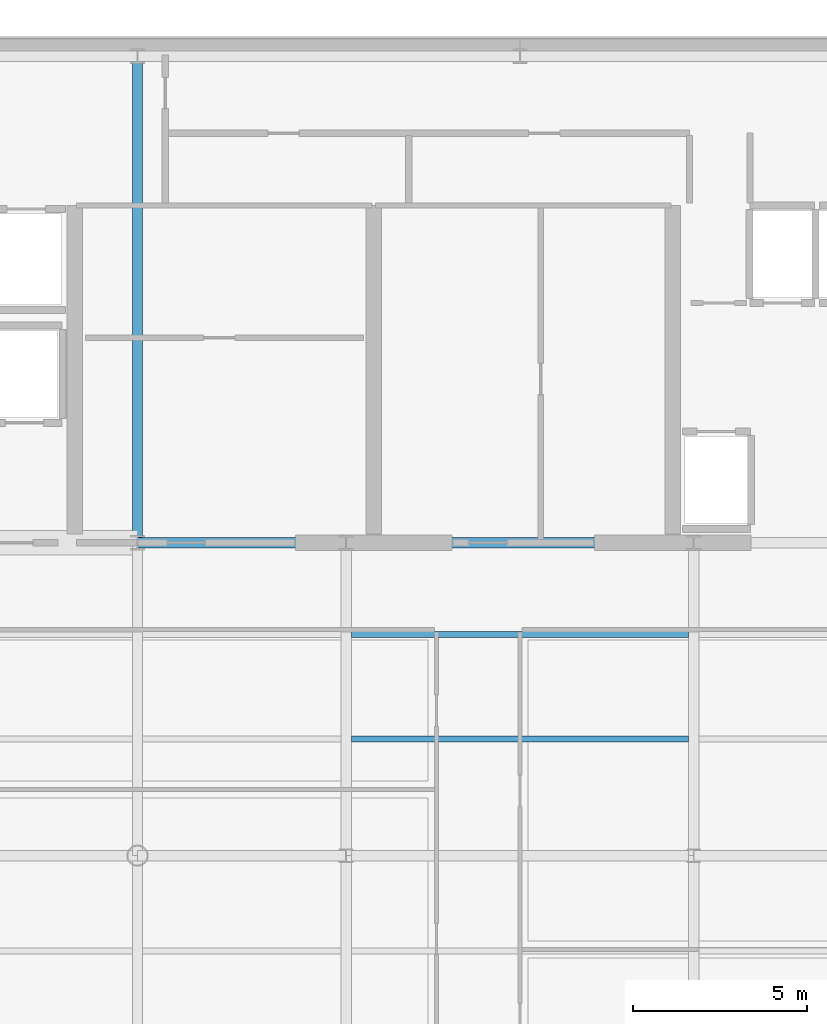
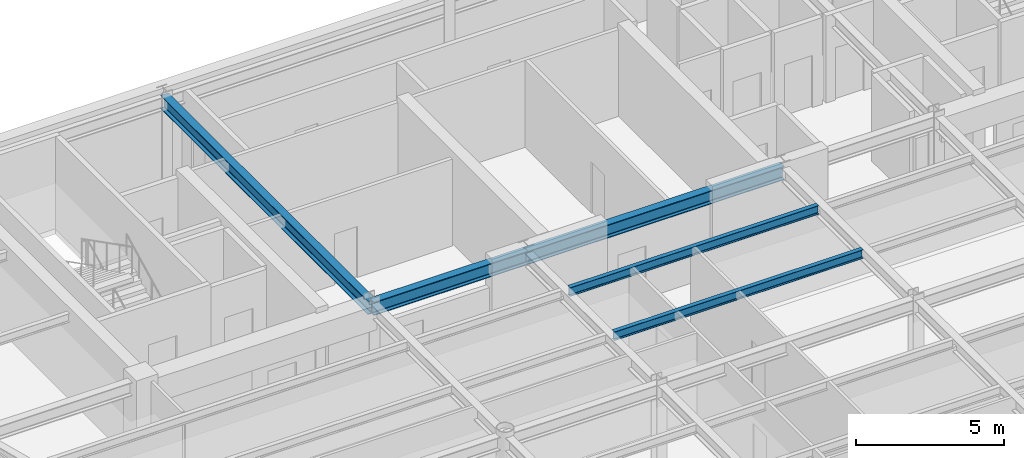
# One storey, part 5 of 19: 5 beams.
"""IFC4 building model written with IfcOpenShell, lengths in metres."""

from ifc_helpers import new_model, si_unit, direction, frame, origin, origin_2d, place, context, subcontext, project, spatial, i_section, extrude, source, transform, mapped, material, material_profile, profile_set, type_object, element, save


model = new_model("IFC4")

# Units and contexts
model_context = context("Model", 3, precision=1e-05, world=origin(), true_north=direction((0.0, 1.0)))
body_context = subcontext(model_context, "Body", "Model", "MODEL_VIEW")
ifc_project = project(units=[si_unit("LENGTHUNIT", "METRE"), si_unit("AREAUNIT", "SQUARE_METRE"), si_unit("VOLUMEUNIT", "CUBIC_METRE"), si_unit("PLANEANGLEUNIT", "RADIAN"), si_unit("MASSUNIT", "GRAM", prefix="KILO")], contexts=[model_context])

# Site, building, storey
site_placement = place(None, origin())
site = spatial("IfcSite", under=ifc_project, at=site_placement, CompositionType="ELEMENT")
building_placement = place(site_placement, origin())
building = spatial("IfcBuilding", under=site, at=building_placement, Name="Vaeldorn Concourse Tower", CompositionType="ELEMENT")
storey_placement = place(building_placement, frame((0.0, 0.0, 276.39990234375)))
storey = spatial("IfcBuildingStorey", under=building, at=storey_placement, Name="L71", CompositionType="ELEMENT", Elevation=276.39990234375)

# Beams
ifc_material = material(Name="Steel S355", Category="steel")
ifc_material_profile_1 = material_profile(ifc_material, i_section(OverallWidth=0.300048828125, OverallDepth=0.550048828125, WebThickness=0.014892578125, FlangeThickness=0.029052734375, FilletRadius=0.027099609375, at=origin_2d()), Name="HEB 550")
ifc_profile_set_1 = profile_set([ifc_material_profile_1], Name="Steel S355")
beam_type_1 = type_object("IfcBeamType", Name="BM-PG-HEB550", PredefinedType="BEAM", material=ifc_profile_set_1)
shared_shape_1 = source(origin(), body_context, "Body", "SweptSolid", [
    extrude(i_section(OverallWidth=0.300048828125, OverallDepth=0.550048828125, WebThickness=0.014892578125, FlangeThickness=0.029052734375, FilletRadius=0.027099609375, at=origin_2d()), origin(), (0.0, 0.0, 1.0), 6.0),
])
beam_1_placement = place(storey_placement, frame((23.0, 36.5, 3.30517578125), z_axis=(1.0, 0.0, 0.0), x_axis=(0.0, 1.0, 0.0)))
element("IfcBeam", 1, at=beam_1_placement, inside=storey, type_object=beam_type_1, Name="Beam BM-L71-C-FC2-C-FC3", PredefinedType="BEAM", context=body_context, shape_type="MappedRepresentation", body=[
    mapped(shared_shape_1, transform((0.0, 0.0, 0.0), scale=1.0)),
])
shared_shape_2 = source(origin(), body_context, "Body", "SweptSolid", [
    extrude(i_section(OverallWidth=0.300048828125, OverallDepth=0.550048828125, WebThickness=0.014892578125, FlangeThickness=0.029052734375, FilletRadius=0.027099609375, at=origin_2d()), origin(), (0.0, 0.0, 1.0), 10.0),
])
beam_2_placement = place(storey_placement, frame((29.0, 36.5, 3.30517578125), z_axis=(1.0, 0.0, 0.0), x_axis=(0.0, 1.0, 0.0)))
element("IfcBeam", 2, at=beam_2_placement, inside=storey, type_object=beam_type_1, Name="Beam BM-L71-C-FC3-C-FC4", PredefinedType="BEAM", context=body_context, shape_type="MappedRepresentation", body=[
    mapped(shared_shape_2, transform((0.0, 0.0, 0.0), scale=1.0)),
])
shared_shape_3 = source(origin(), body_context, "Body", "SweptSolid", [
    extrude(i_section(OverallWidth=0.300048828125, OverallDepth=0.550048828125, WebThickness=0.014892578125, FlangeThickness=0.029052734375, FilletRadius=0.027099609375, at=origin_2d()), origin(), (0.0, 0.0, 1.0), 14.0),
])
beam_3_placement = place(storey_placement, frame((23.0, 36.5, 3.30517578125), z_axis=(0.0, 1.0, 0.0), x_axis=(-1.0, 0.0, 0.0)))
element("IfcBeam", 3, at=beam_3_placement, inside=storey, type_object=beam_type_1, Name="Beam BM-L71-C-FC2-C-HC2", PredefinedType="BEAM", context=body_context, shape_type="MappedRepresentation", body=[
    mapped(shared_shape_3, transform((0.0, 0.0, 0.0), scale=1.0)),
])
ifc_material_profile_2 = material_profile(ifc_material, i_section(OverallWidth=0.169921875, OverallDepth=0.360107421875, WebThickness=0.008056640625, FlangeThickness=0.0126953125, FilletRadius=0.01806640625, at=origin_2d()), Name="IPE 360")
ifc_profile_set_2 = profile_set([ifc_material_profile_2], Name="Steel S355")
beam_type_2 = type_object("IfcBeamType", Name="BM-JS-IPE360", PredefinedType="JOIST", material=ifc_profile_set_2)
shared_shape_4 = source(origin(), body_context, "Body", "SweptSolid", [
    extrude(i_section(OverallWidth=0.169921875, OverallDepth=0.360107421875, WebThickness=0.008056640625, FlangeThickness=0.0126953125, FilletRadius=0.01806640625, at=origin_2d()), origin(), (0.0, 0.0, 1.0), 9.7001953125),
])
for number, where, z_axis, x_axis, name in (
    (4, (29.14990234375, 30.860107421875, 3.400146484375), (1.0, 0.0, 0.0), (0.0, 1.0, 0.0), "Beam JS-L71-C-308"),
    (5, (29.14990234375, 33.860107421875, 3.400146484375), (1.0, 0.0, 0.0), (0.0, 1.0, 0.0), "Beam JS-L71-C-338"),
):
    element("IfcBeam", number, at=place(storey_placement, frame(where, z_axis=z_axis, x_axis=x_axis)), inside=storey, type_object=beam_type_2, Name=name, PredefinedType="JOIST", context=body_context, shape_type="MappedRepresentation", body=[
        mapped(shared_shape_4, transform((0.0, 0.0, 0.0), scale=1.0)),
    ])

save(model, "model.ifc")
